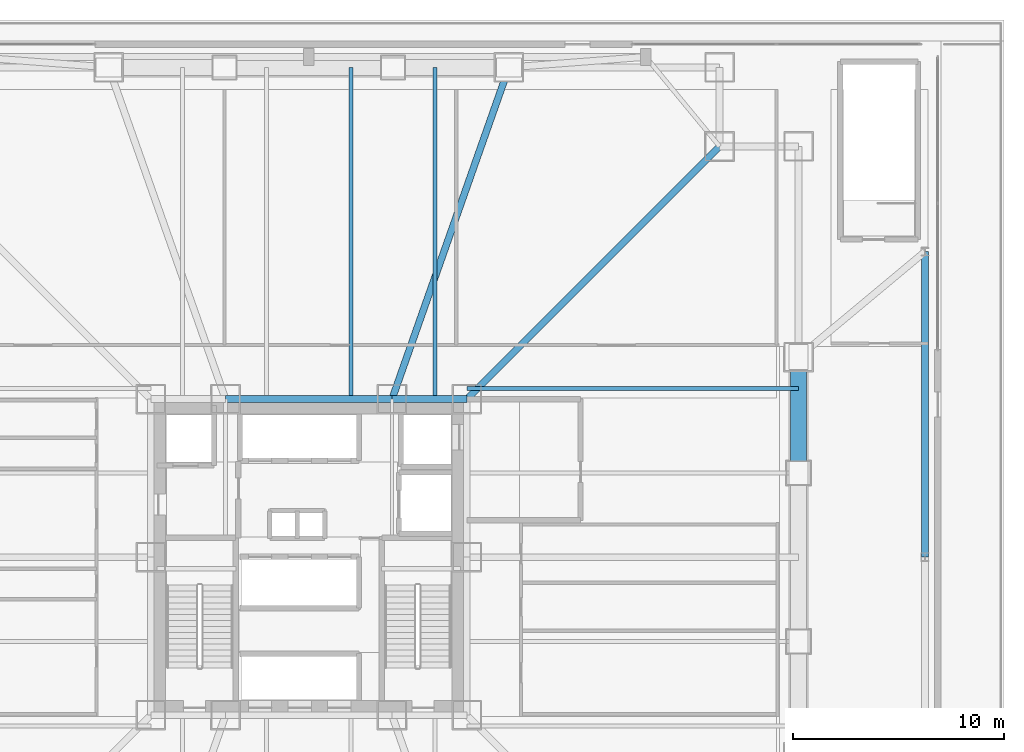
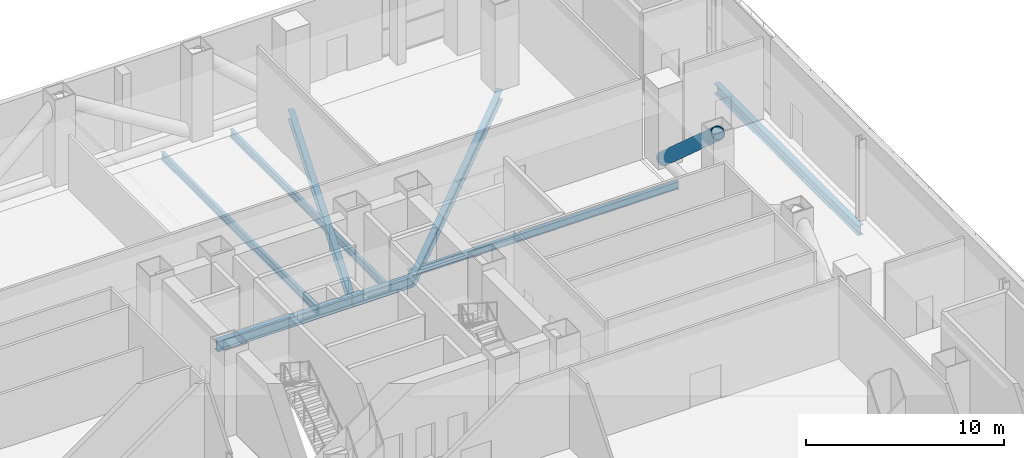
# One storey, part 9 of 21: 8 beams, 1 member.
"""IFC4 building model written with IfcOpenShell, lengths in metres."""

from ifc_helpers import new_model, si_unit, direction, frame, origin, origin_2d, place, context, subcontext, project, spatial, hollow_circle, i_section, extrude, material, material_profile, profile_set, type_object, element, save


model = new_model("IFC4")

# Units and contexts
model_context = context("Model", 3, precision=1e-05, world=origin(), true_north=direction((0.0, 1.0)))
body_context = subcontext(model_context, "Body", "Model", "MODEL_VIEW")
ifc_project = project(units=[si_unit("LENGTHUNIT", "METRE"), si_unit("AREAUNIT", "SQUARE_METRE"), si_unit("VOLUMEUNIT", "CUBIC_METRE"), si_unit("PLANEANGLEUNIT", "RADIAN"), si_unit("MASSUNIT", "GRAM", prefix="KILO")], contexts=[model_context])

# Site, building, storey
site_placement = place(None, origin())
site = spatial("IfcSite", under=ifc_project, at=site_placement, CompositionType="ELEMENT")
building_placement = place(site_placement, origin())
building = spatial("IfcBuilding", under=site, at=building_placement, Name="Trevonay Congress Spire", CompositionType="ELEMENT")
storey_placement = place(building_placement, frame((0.0, 0.0, 21.60009765625)))
storey = spatial("IfcBuildingStorey", under=building, at=storey_placement, Name="L04", CompositionType="ELEMENT", Elevation=21.60009765625)

# Beams
ifc_material = material(Name="Steel ASTM A572 Grade 50", Category="steel")
ifc_material_profile_1 = material_profile(ifc_material, i_section(OverallWidth=0.324951171875, OverallDepth=0.615966796875, WebThickness=0.013916015625, FlangeThickness=0.021484375, FilletRadius=0.01806640625, at=origin_2d()), Name="W610x174")
ifc_profile_set_1 = profile_set([ifc_material_profile_1], Name="Steel ASTM A572 Grade 50")
beam_type_1 = type_object("IfcBeamType", Name="BM-GIRD-W610X174", PredefinedType="BEAM", material=ifc_profile_set_1)
beam_1_placement = place(storey_placement, frame((7.5, 7.5, -0.7080078125), z_axis=(0.707106781187, 0.707106781187, 0.0), x_axis=(-0.707106781187, 0.707106781187, 0.0)))
element("IfcBeam", 1, at=beam_1_placement, inside=storey, type_object=beam_type_1, Name="L04 structural beam BM-L04-RAD-NE", PredefinedType="BEAM", context=body_context, shape_type="SweptSolid", body=[
    extrude(i_section(OverallWidth=0.324951171875, OverallDepth=0.615966796875, WebThickness=0.013916015625, FlangeThickness=0.021484375, FilletRadius=0.01806640625, at=origin_2d()), origin(), (0.0, 0.0, 1.0), 16.970458984375),
])
beam_2_placement = place(storey_placement, frame((3.949951171875, 7.5, -0.7080078125), z_axis=(0.332352826786, 0.943155129619, 0.0), x_axis=(-0.943155129619, 0.332352826786, 0.0)))
element("IfcBeam", 2, at=beam_2_placement, inside=storey, type_object=beam_type_1, Name="L04 structural beam BM-L04-RAD-N2", PredefinedType="BEAM", context=body_context, shape_type="SweptSolid", body=[
    extrude(i_section(OverallWidth=0.324951171875, OverallDepth=0.615966796875, WebThickness=0.013916015625, FlangeThickness=0.021484375, FilletRadius=0.01806640625, at=origin_2d()), origin(), (0.0, 0.0, 1.0), 16.69921875),
])
beam_3_placement = place(storey_placement, frame((29.25, 0.0, -0.7080078125), z_axis=(0.0, 1.0, 0.0), x_axis=(-1.0, 0.0, 0.0)))
element("IfcBeam", 3, at=beam_3_placement, inside=storey, type_object=beam_type_1, Name="L04 structural beam BM-L04-POD-EH", PredefinedType="BEAM", context=body_context, shape_type="SweptSolid", body=[
    extrude(i_section(OverallWidth=0.324951171875, OverallDepth=0.615966796875, WebThickness=0.013916015625, FlangeThickness=0.021484375, FilletRadius=0.01806640625, at=origin_2d()), origin(), (0.0, 0.0, 1.0), 14.5),
])
ifc_material_profile_2 = material_profile(ifc_material, i_section(OverallWidth=0.3291015625, OverallDepth=0.635009765625, WebThickness=0.017822265625, FlangeThickness=0.031005859375, FilletRadius=0.01806640625, at=origin_2d()), Name="W610x241")
ifc_profile_set_2 = profile_set([ifc_material_profile_2], Name="Steel ASTM A572 Grade 50")
beam_type_2 = type_object("IfcBeamType", Name="BM-GIRD-W610X241", PredefinedType="BEAM", material=ifc_profile_set_2)
beam_4_placement = place(storey_placement, frame((-3.949951171875, 7.5, -0.717529296875), z_axis=(1.0, 0.0, 0.0), x_axis=(0.0, 1.0, 0.0)))
element("IfcBeam", 4, at=beam_4_placement, inside=storey, type_object=beam_type_2, Name="L04 structural beam BM-L04-CR-N2", PredefinedType="BEAM", context=body_context, shape_type="SweptSolid", body=[
    extrude(i_section(OverallWidth=0.3291015625, OverallDepth=0.635009765625, WebThickness=0.017822265625, FlangeThickness=0.031005859375, FilletRadius=0.01806640625, at=origin_2d()), origin(), (0.0, 0.0, 1.0), 7.89990234375),
])
beam_5_placement = place(storey_placement, frame((3.949951171875, 7.5, -0.717529296875), z_axis=(1.0, 0.0, 0.0), x_axis=(0.0, 1.0, 0.0)))
element("IfcBeam", 5, at=beam_5_placement, inside=storey, type_object=beam_type_2, Name="L04 structural beam BM-L04-CR-N3", PredefinedType="BEAM", context=body_context, shape_type="SweptSolid", body=[
    extrude(i_section(OverallWidth=0.3291015625, OverallDepth=0.635009765625, WebThickness=0.017822265625, FlangeThickness=0.031005859375, FilletRadius=0.01806640625, at=origin_2d()), origin(), (0.0, 0.0, 1.0), 3.550048828125),
])
ifc_material_profile_3 = material_profile(ifc_material, i_section(OverallWidth=0.18994140625, OverallDepth=0.45703125, WebThickness=0.009033203125, FlangeThickness=0.014404296875, FilletRadius=0.013916015625, at=origin_2d()), Name="W460x74")
ifc_profile_set_3 = profile_set([ifc_material_profile_3], Name="Steel ASTM A572 Grade 50")
beam_type_3 = type_object("IfcBeamType", Name="JS-COMP-W460X74", PredefinedType="JOIST", material=ifc_profile_set_3)
for number, where, z_axis, x_axis, name in (
    (6, (7.5, 8.0, -0.628662109375), (1.0, 0.0, 0.0), (0.0, 1.0, 0.0), "L04 structural beam JS-L04-EH4"),
    (7, (2.0, 7.5, -0.628662109375), (0.0, 1.0, 0.0), (-1.0, 0.0, 0.0), "L04 structural beam JS-L04-NH3"),
    (8, (6.0, 7.5, -0.628662109375), (0.0, 1.0, 0.0), (-1.0, 0.0, 0.0), "L04 structural beam JS-L04-NH4"),
):
    element("IfcBeam", number, at=place(storey_placement, frame(where, z_axis=z_axis, x_axis=x_axis)), inside=storey, type_object=beam_type_3, Name=name, PredefinedType="JOIST", context=body_context, shape_type="SweptSolid", body=[
        extrude(i_section(OverallWidth=0.18994140625, OverallDepth=0.45703125, WebThickness=0.009033203125, FlangeThickness=0.014404296875, FilletRadius=0.013916015625, at=origin_2d()), origin(), (0.0, 0.0, 1.0), 15.75),
    ])

# Member
ifc_material_profile_4 = material_profile(ifc_material, hollow_circle(Radius=0.381103515625, WallThickness=0.0400390625, at=origin_2d()), Name="CHS 762x40")
ifc_profile_set_4 = profile_set([ifc_material_profile_4], Name="Steel ASTM A572 Grade 50")
member_type = type_object("IfcMemberType", Name="MBR-OUTRIG-CHS762", PredefinedType="BRACE", material=ifc_profile_set_4)
member_placement = place(storey_placement, frame((23.25, 9.5, 0.0498046875), z_axis=(0.0, -0.746649966155, 0.665217128493), x_axis=(1.0, 0.0, 0.0)))
element("IfcMember", 9, at=member_placement, inside=storey, type_object=member_type, Name="Podium 24m hall transfer truss E diagonal 3", PredefinedType="BRACE", context=body_context, shape_type="SweptSolid", body=[
    extrude(hollow_circle(Radius=0.381103515625, WallThickness=0.0400390625, at=origin_2d()), origin(), (0.0, 0.0, 1.0), 7.3662109375),
])

save(model, "model.ifc")
